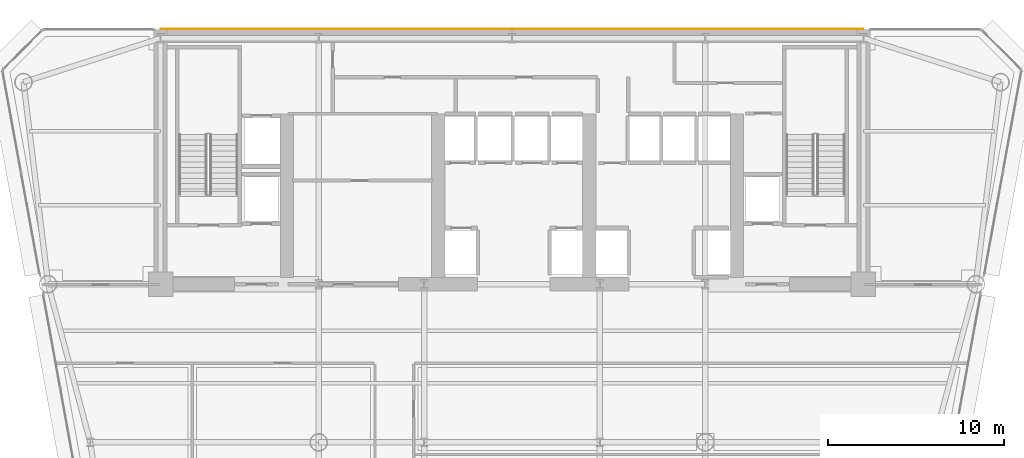
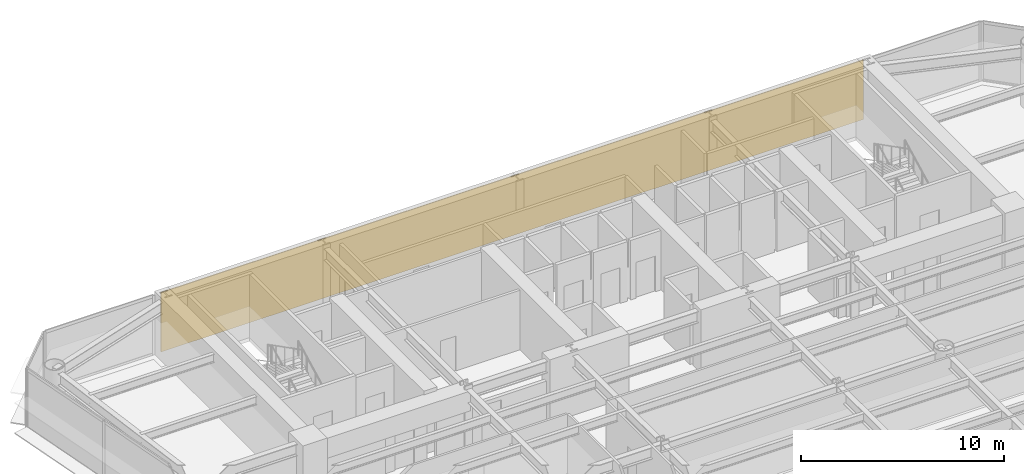
# One storey, part 13 of 14: 1 covering.
"""IFC4 building model written with IfcOpenShell, lengths in metres."""

from ifc_helpers import new_model, si_unit, direction, frame, origin, place, context, subcontext, project, spatial, polyline, outline, extrude, material, layer, layer_set, type_object, element, save


model = new_model("IFC4")

# Units and contexts
model_context = context("Model", 3, precision=1e-05, world=origin(), true_north=direction((0.0, 1.0)))
body_context = subcontext(model_context, "Body", "Model", "MODEL_VIEW")
ifc_project = project(units=[si_unit("LENGTHUNIT", "METRE"), si_unit("AREAUNIT", "SQUARE_METRE"), si_unit("VOLUMEUNIT", "CUBIC_METRE"), si_unit("PLANEANGLEUNIT", "RADIAN"), si_unit("MASSUNIT", "GRAM", prefix="KILO")], contexts=[model_context])

# Site, building, storey
site_placement = place(None, origin())
site = spatial("IfcSite", under=ifc_project, at=site_placement, CompositionType="ELEMENT")
building_placement = place(site_placement, origin())
building = spatial("IfcBuilding", under=site, at=building_placement, Name="Vaeldorn Concourse Tower", CompositionType="ELEMENT")
storey_placement = place(building_placement, frame((0.0, 0.0, 122.39990234375)))
storey = spatial("IfcBuildingStorey", under=building, at=storey_placement, Name="L31", CompositionType="ELEMENT", Elevation=122.39990234375)

# Covering
ifc_material = material(Name="Anodised Bronze Aluminium", Category="aluminium")
ifc_layer = layer(ifc_material, 0.050048828125)
ifc_layer_set = layer_set([ifc_layer], Name="Anodised Bronze Aluminium")
covering_type = type_object("IfcCoveringType", Name="COV-CLAD-BRONZE", PredefinedType="CLADDING", material=ifc_layer_set)
covering_placement = place(storey_placement, origin())
element("IfcCovering", 1, at=covering_placement, inside=storey, type_object=covering_type, Name="Rear Core Bronze Spandrel Cladding L31", PredefinedType="CLADDING", context=body_context, shape_type="SweptSolid", body=[
    extrude(outline(polyline([(14.0, 51.0), (54.0, 51.0), (54.0, 51.050048828125), (14.0, 51.050048828125), (14.0, 51.0)])), origin(), (0.0, 0.0, 1.0), 3.580078125),
])

save(model, "model.ifc")
